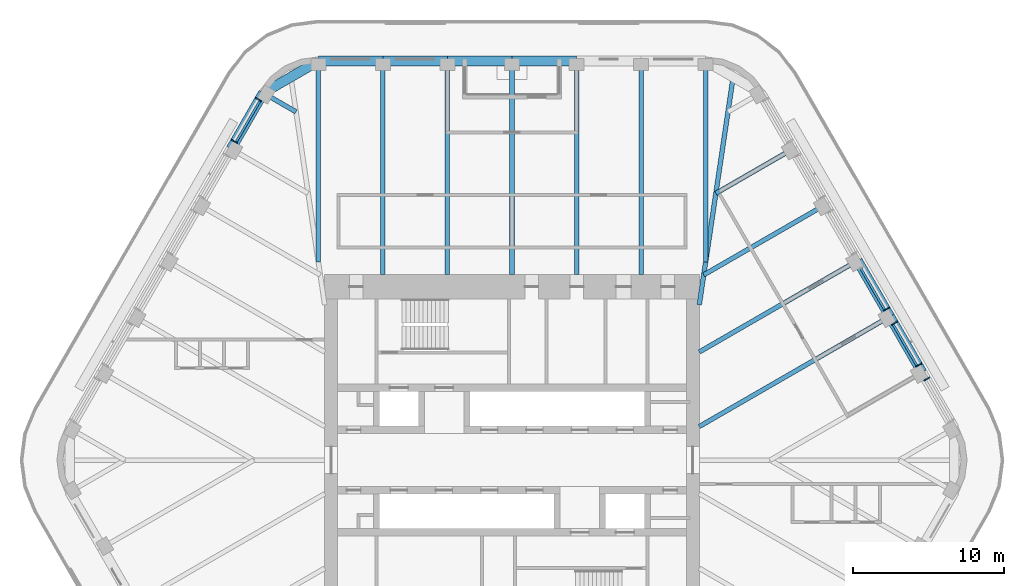
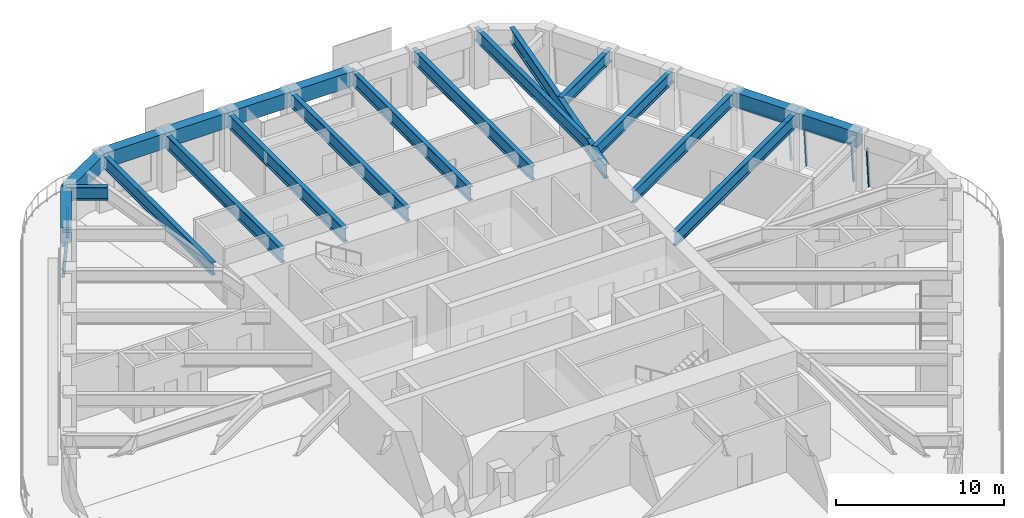
# One storey, part 9 of 19: 21 beams, 9 members, 4 elements without a shape of their own.
"""IFC4 building model written with IfcOpenShell, lengths in metres."""

import ifcopenshell
import ifcopenshell.guid

model = None  # the IFC model being written
_history = None  # IfcOwnerHistory: only IFC2X3 demands one
_inside = {}  # id of a spatial element -> (the spatial element, [elements in it])
_under = {}  # id of a project, library or spatial element -> (it, [spatial elements below it])
_declared = {}  # id of a project -> (the project, [libraries it declares])
_typed = {}  # id of a type object -> (the type object, [elements of that type])
_made_of = {}  # id of a material, layer set ... -> (it, [elements and type objects made of it])


def new_model(schema):
    """Start an empty IFC model of exactly this schema.

    Asked for "IFC4X3", IfcOpenShell would pick the latest addendum, in which some entities
    have other attributes; the version numbers below select the first issue.
    IFC2X3 requires an IfcOwnerHistory on every rooted entity: one is made here for all.
    """
    global model, _history
    if schema == "IFC4X3":
        model = ifcopenshell.file(schema_version=(4, 3, 0, 0))
    else:
        model = ifcopenshell.file(schema=schema)
    _inside.clear()
    _under.clear()
    _declared.clear()
    _typed.clear()
    _made_of.clear()
    _history = None
    if model.schema == "IFC2X3":
        org = make("IfcOrganization", Name="unknown")
        user = make(
            "IfcPersonAndOrganization",
            ThePerson=make("IfcPerson", FamilyName="unknown"),
            TheOrganization=org,
        )
        app = make(
            "IfcApplication",
            ApplicationDeveloper=org,
            Version="unknown",
            ApplicationFullName="unknown",
            ApplicationIdentifier="unknown",
        )
        _history = make(
            "IfcOwnerHistory",
            OwningUser=user,
            OwningApplication=app,
            ChangeAction="ADDED",
            CreationDate=0,
        )
    return model


def make(cls, **values):
    """One entity of the class cls with the attributes given. An attribute that is None is left unset."""
    return model.create_entity(
        cls, **{name: value for name, value in values.items() if value is not None}
    )


def rooted(cls, **values):
    """An entity with a GlobalId (a new one), such as an element, a storey or a relation."""
    return make(cls, GlobalId=ifcopenshell.guid.new(), OwnerHistory=_history, **values)


def si_unit(unit_type, name, prefix=None):
    """IfcSIUnit, for example si_unit("LENGTHUNIT", "METRE", prefix="MILLI")."""
    return make("IfcSIUnit", UnitType=unit_type, Prefix=prefix, Name=name)


def assignment(units):
    """IfcUnitAssignment: the units of a project."""
    return None if units is None else make("IfcUnitAssignment", Units=units)


def point(xyz):
    """IfcCartesianPoint."""
    return None if xyz is None else make("IfcCartesianPoint", Coordinates=xyz)


def direction(xyz):
    """IfcDirection."""
    return None if xyz is None else make("IfcDirection", DirectionRatios=xyz)


def frame(location, z_axis=None, x_axis=None):
    """IfcAxis2Placement3D, a coordinate frame: its origin and axes. An axis left out is left unset."""
    return make(
        "IfcAxis2Placement3D",
        Location=point(location),
        Axis=direction(z_axis),
        RefDirection=direction(x_axis),
    )


def frame_2d(location, x_axis=None):
    """IfcAxis2Placement2D, a coordinate frame in the plane: its origin and x axis."""
    return make(
        "IfcAxis2Placement2D", Location=point(location), RefDirection=direction(x_axis)
    )


def origin():
    """The frame at (0, 0, 0) with its axes left unset."""
    return frame((0.0, 0.0, 0.0))


def origin_2d():
    """The frame at (0, 0) in the plane with its x axis left unset."""
    return frame_2d((0.0, 0.0))


def place(relative_to, where):
    """IfcLocalPlacement: puts the frame where relative to a parent placement (None: the world)."""
    return make(
        "IfcLocalPlacement", PlacementRelTo=relative_to, RelativePlacement=where
    )


def context(
    kind, dimensions, precision=None, world=None, true_north=None, identifier=None
):
    """IfcGeometricRepresentationContext, for example the 3D "Model" context."""
    return make(
        "IfcGeometricRepresentationContext",
        ContextIdentifier=identifier,
        ContextType=kind,
        CoordinateSpaceDimension=dimensions,
        Precision=precision,
        WorldCoordinateSystem=world,
        TrueNorth=true_north,
    )


def subcontext(parent, identifier, kind, view, scale=None):
    """IfcGeometricRepresentationSubContext, for example "Body" below "Model"."""
    return make(
        "IfcGeometricRepresentationSubContext",
        ContextIdentifier=identifier,
        ContextType=kind,
        ParentContext=parent,
        TargetScale=scale,
        TargetView=view,
    )


def project(units=None, contexts=None):
    """IfcProject with its units and contexts."""
    return rooted(
        "IfcProject",
        Name="project",
        RepresentationContexts=contexts,
        UnitsInContext=assignment(units),
    )


def spatial(cls, under=None, at=None, **own):
    """A site, building, storey or space (cls), placed at a placement, below another one or the project."""
    s = rooted(cls, ObjectPlacement=at, **own)
    if under is not None:
        _under.setdefault(under.id(), (under, []))[1].append(s)
    return s


def profile(cls, at=None, kind="AREA", **sizes):
    """A parametric profile (cls). Its sizes go by their IFC names, for example OverallWidth=200.0."""
    return make(cls, ProfileType=kind, Position=at, **sizes)


def rectangle(**sizes):
    """IfcRectangleProfileDef."""
    return profile("IfcRectangleProfileDef", **sizes)


def i_section(**sizes):
    """IfcIShapeProfileDef."""
    return profile("IfcIShapeProfileDef", **sizes)


def extrude(swept, where, along, depth):
    """IfcExtrudedAreaSolid: the profile swept, set in the frame where, extruded along a direction by depth."""
    return make(
        "IfcExtrudedAreaSolid",
        SweptArea=swept,
        Position=where,
        ExtrudedDirection=direction(along),
        Depth=depth,
    )


def shape(context_of_items, identifier, shape_type, items):
    """IfcShapeRepresentation: the items that make up one representation, for example the "Body"."""
    return make(
        "IfcShapeRepresentation",
        ContextOfItems=context_of_items,
        RepresentationIdentifier=identifier,
        RepresentationType=shape_type,
        Items=items,
    )


def material(Name=None, Category=None):
    """IfcMaterial."""
    return make("IfcMaterial", Name=Name, Category=Category)


def material_profile(
    of_material, cross_section, Name=None, Category=None, Priority=None
):
    """IfcMaterialProfile: a cross section and its material."""
    return make(
        "IfcMaterialProfile",
        Name=Name,
        Material=of_material,
        Profile=cross_section,
        Priority=Priority,
        Category=Category,
    )


def profile_set(profiles, Name=None, composite=None):
    """IfcMaterialProfileSet."""
    return make(
        "IfcMaterialProfileSet",
        Name=Name,
        MaterialProfiles=profiles,
        CompositeProfile=composite,
    )


def made_of(thing, what):
    """Note that an element or type object is made of a material, layer set ...; save() writes the relation."""
    if what is not None:
        _made_of.setdefault(what.id(), (what, []))[1].append(thing)
    return thing


def type_object(cls, material=None, **own):
    """A type object (cls), such as IfcWallType, which elements share."""
    return made_of(rooted(cls, **own), material)


def element(
    cls,
    number,
    at=None,
    inside=None,
    cuts=None,
    type_object=None,
    material=None,
    context=None,
    identifier="Body",
    shape_type=None,
    held_by="IfcProductDefinitionShape",
    body=None,
    shapes=None,
    **own,
):
    """One element of the class cls, such as IfcWall. Its Tag is "e" and its number.

    at: its placement. inside: the storey or other place that contains it. cuts: it is an
    opening in that element (IfcRelVoidsElement). A single representation is given by context,
    identifier, shape_type and body (its items); several are given by shapes. held_by: the class
    of the entity that holds the representations. save() writes the other relations.
    """
    e = rooted(cls, Tag="e%d" % number, ObjectPlacement=at, **own)
    if body is not None:
        shapes = [shape(context, identifier, shape_type, body)]
    if shapes is not None:
        e.Representation = make(held_by, Representations=shapes)
    if inside is not None:
        _inside.setdefault(inside.id(), (inside, []))[1].append(e)
    if cuts is not None:
        rooted(
            "IfcRelVoidsElement", RelatingBuildingElement=cuts, RelatedOpeningElement=e
        )
    if type_object is not None:
        _typed.setdefault(type_object.id(), (type_object, []))[1].append(e)
    return made_of(e, material)


def aggregate(whole, parts):
    """IfcRelAggregates: a whole, such as a stair, and the parts it consists of."""
    return rooted("IfcRelAggregates", RelatingObject=whole, RelatedObjects=parts)


def save(model, path):
    """Write the relations noted so far, then the file.

    IfcRelAggregates (storeys below a building ...), IfcRelContainedInSpatialStructure (elements
    in a storey), IfcRelDefinesByType, IfcRelAssociatesMaterial and IfcRelDeclares: one each for
    every whole, place, type object, material and project.
    """
    for whole, parts in _under.values():
        aggregate(whole, parts)
    for where, things in _inside.values():
        rooted(
            "IfcRelContainedInSpatialStructure",
            RelatedElements=things,
            RelatingStructure=where,
        )
    for kind, things in _typed.values():
        rooted("IfcRelDefinesByType", RelatedObjects=things, RelatingType=kind)
    for what, things in _made_of.values():
        rooted("IfcRelAssociatesMaterial", RelatedObjects=things, RelatingMaterial=what)
    for by, libraries in _declared.values():
        rooted("IfcRelDeclares", RelatingContext=by, RelatedDefinitions=libraries)
    model.write(path)


model = new_model("IFC4")

# Units and contexts
model_context = context("Model", 3, precision=1e-05, world=origin(), true_north=direction((0.0, 1.0)))
body_context = subcontext(model_context, "Body", "Model", "MODEL_VIEW")
ifc_project = project(units=[si_unit("LENGTHUNIT", "METRE"), si_unit("AREAUNIT", "SQUARE_METRE"), si_unit("VOLUMEUNIT", "CUBIC_METRE"), si_unit("PLANEANGLEUNIT", "RADIAN"), si_unit("MASSUNIT", "GRAM", prefix="KILO")], contexts=[model_context])

# Site, building, storey
site_placement = place(None, origin())
site = spatial("IfcSite", under=ifc_project, at=site_placement, CompositionType="ELEMENT")
building_placement = place(site_placement, origin())
building = spatial("IfcBuilding", under=site, at=building_placement, Name="Tarfa Lantern Tower", CompositionType="ELEMENT")
storey_placement = place(building_placement, frame((0.0, 0.0, 345.10009765625)))
storey = spatial("IfcBuildingStorey", under=building, at=storey_placement, Name="L78", CompositionType="ELEMENT", Elevation=345.10009765625)

# Curtain wall, member
ifc_material_1 = material(Name="Aluminium framed curtain wall", Category="aluminium")
curtain_wall_type = type_object("IfcCurtainWallType", Name="CW4 CANTED GLAZING EXECUTIVE ZONE 2900", PredefinedType="USERDEFINED", material=ifc_material_1)
curtain_wall_1_placement = place(storey_placement, origin())
curtain_wall_1 = element("IfcCurtainWall", 1, at=curtain_wall_1_placement, inside=storey, type_object=curtain_wall_type, Name="CW4 NE L78", ObjectType="CURTAIN WALL", PredefinedType="USERDEFINED")
ifc_material_2 = material(Name="Aluminium mullion", Category="aluminium")
ifc_material_profile_1 = material_profile(ifc_material_2, rectangle(XDim=0.06494140625, YDim=0.199951171875, at=origin_2d()), Name="AL MULLION 65x200")
ifc_profile_set_1 = profile_set([ifc_material_profile_1], Name="Aluminium mullion")
member_type_1 = type_object("IfcMemberType", Name="CWM1 MULLION 65x200", PredefinedType="MULLION", material=ifc_profile_set_1)
member_1_placement = place(storey_placement, frame((27.6279296875, 5.447265625, 0.0), z_axis=(-0.074399820079, -0.042945555672, 0.996303340364), x_axis=(0.499919672301, -0.866071776036, 0.0)))
member_1 = element("IfcMember", 2, at=member_1_placement, type_object=member_type_1, Name="CW4 mullion 2", PredefinedType="MULLION", context=body_context, shape_type="SweptSolid", body=[
    extrude(rectangle(XDim=0.06494140625, YDim=0.199951171875, at=origin_2d()), origin(), (0.0, 0.0, 1.0), 2.91064453125),
])
aggregate(curtain_wall_1, [member_1])

# Curtain wall, members
curtain_wall_2_placement = place(storey_placement, origin())
curtain_wall_2 = element("IfcCurtainWall", 3, at=curtain_wall_2_placement, inside=storey, type_object=curtain_wall_type, Name="CW4 NE L78", ObjectType="CURTAIN WALL", PredefinedType="USERDEFINED")
member_2_placement = place(storey_placement, frame((27.095458984375, 6.369384765625, 0.0), z_axis=(-0.074399820079, -0.042945555672, 0.996303340364), x_axis=(0.499919672301, -0.866071776036, 0.0)))
member_2 = element("IfcMember", 4, at=member_2_placement, type_object=member_type_1, Name="CW4 mullion 1", PredefinedType="MULLION", context=body_context, shape_type="SweptSolid", body=[
    extrude(rectangle(XDim=0.06494140625, YDim=0.199951171875, at=origin_2d()), origin(), (0.0, 0.0, 1.0), 2.91064453125),
])
member_3_placement = place(storey_placement, frame((25.48681640625, 9.155517578125, 0.0), z_axis=(-0.074399820079, -0.042945555672, 0.996303340364), x_axis=(0.499919672301, -0.866071776036, 0.0)))
member_3 = element("IfcMember", 5, at=member_3_placement, type_object=member_type_1, Name="CW4 mullion 2", PredefinedType="MULLION", context=body_context, shape_type="SweptSolid", body=[
    extrude(rectangle(XDim=0.06494140625, YDim=0.199951171875, at=origin_2d()), origin(), (0.0, 0.0, 1.0), 2.91064453125),
])

# Curtain wall, member
curtain_wall_3_placement = place(storey_placement, origin())
curtain_wall_3 = element("IfcCurtainWall", 6, at=curtain_wall_3_placement, inside=storey, type_object=curtain_wall_type, Name="CW4 NE L78", ObjectType="CURTAIN WALL", PredefinedType="USERDEFINED")
member_4_placement = place(storey_placement, frame((24.954345703125, 10.077880859375, 0.0), z_axis=(-0.074399820079, -0.042945555672, 0.996303340364), x_axis=(0.499919672301, -0.866071776036, 0.0)))
member_4 = element("IfcMember", 7, at=member_4_placement, type_object=member_type_1, Name="CW4 mullion 1", PredefinedType="MULLION", context=body_context, shape_type="SweptSolid", body=[
    extrude(rectangle(XDim=0.06494140625, YDim=0.199951171875, at=origin_2d()), origin(), (0.0, 0.0, 1.0), 2.91064453125),
])

# Curtain wall, members
curtain_wall_4_placement = place(storey_placement, origin())
curtain_wall_4 = element("IfcCurtainWall", 8, at=curtain_wall_4_placement, inside=storey, type_object=curtain_wall_type, Name="CW4 NW L78", ObjectType="CURTAIN WALL", PredefinedType="USERDEFINED")
member_5_placement = place(storey_placement, frame((-16.9228515625, 23.98876953125, 0.0), z_axis=(0.074399820079, -0.042945555672, 0.996303340364), x_axis=(0.499919672301, 0.866071776036, 0.0)))
member_5 = element("IfcMember", 9, at=member_5_placement, type_object=member_type_1, Name="CW4 mullion 1", PredefinedType="MULLION", context=body_context, shape_type="SweptSolid", body=[
    extrude(rectangle(XDim=0.06494140625, YDim=0.199951171875, at=origin_2d()), origin(), (0.0, 0.0, 1.0), 2.91064453125),
])
member_6_placement = place(storey_placement, frame((-18.53125, 21.202880859375, 0.0), z_axis=(0.074399820079, -0.042945555672, 0.996303340364), x_axis=(0.499919672301, 0.866071776036, 0.0)))
member_6 = element("IfcMember", 10, at=member_6_placement, type_object=member_type_1, Name="CW4 mullion 2", PredefinedType="MULLION", context=body_context, shape_type="SweptSolid", body=[
    extrude(rectangle(XDim=0.06494140625, YDim=0.199951171875, at=origin_2d()), origin(), (0.0, 0.0, 1.0), 2.91064453125),
])

# Member
ifc_material_3 = material(Name="Aluminium transom", Category="aluminium")
ifc_material_profile_2 = material_profile(ifc_material_3, rectangle(XDim=0.14990234375, YDim=0.06494140625, at=origin_2d()), Name="AL TRANSOM 150x65")
ifc_profile_set_2 = profile_set([ifc_material_profile_2], Name="Aluminium transom")
member_type_2 = type_object("IfcMemberType", Name="CWT1 TRANSOM 150x65", PredefinedType="USERDEFINED", material=ifc_profile_set_2)
member_7_placement = place(storey_placement, frame((26.864990234375, 6.27392578125, 2.867431640625), z_axis=(-0.499979472441, 0.866037255052, 0.0), x_axis=(-0.866037255052, -0.499979472441, 0.0)))
member_7 = element("IfcMember", 11, at=member_7_placement, type_object=member_type_2, Name="CW4 transom 1.2", ObjectType="TRANSOM", PredefinedType="USERDEFINED", context=body_context, shape_type="SweptSolid", body=[
    extrude(rectangle(XDim=0.14990234375, YDim=0.06494140625, at=origin_2d()), origin(), (0.0, 0.0, 1.0), 3.152099609375),
])

aggregate(curtain_wall_2, [member_2, member_3, member_7])

member_8_placement = place(storey_placement, frame((24.72412109375, 9.982421875, 2.867431640625), z_axis=(-0.500037562771, 0.866003715822, 0.0), x_axis=(-0.866003715822, -0.500037562771, 0.0)))
member_8 = element("IfcMember", 12, at=member_8_placement, type_object=member_type_2, Name="CW4 transom 1.2", ObjectType="TRANSOM", PredefinedType="USERDEFINED", context=body_context, shape_type="SweptSolid", body=[
    extrude(rectangle(XDim=0.14990234375, YDim=0.06494140625, at=origin_2d()), origin(), (0.0, 0.0, 1.0), 3.152099609375),
])

aggregate(curtain_wall_3, [member_4, member_8])

member_9_placement = place(storey_placement, frame((-16.724853515625, 23.837158203125, 2.867431640625), z_axis=(-0.500037562771, -0.866003715822, 0.0), x_axis=(0.866003715822, -0.500037562771, 0.0)))
member_9 = element("IfcMember", 13, at=member_9_placement, type_object=member_type_2, Name="CW4 transom 1.2", ObjectType="TRANSOM", PredefinedType="USERDEFINED", context=body_context, shape_type="SweptSolid", body=[
    extrude(rectangle(XDim=0.14990234375, YDim=0.06494140625, at=origin_2d()), origin(), (0.0, 0.0, 1.0), 3.152099609375),
])

aggregate(curtain_wall_4, [member_5, member_6, member_9])

# Beams
ifc_material_4 = material(Name="Concrete C80/95", Category="concrete")
ifc_material_profile_3 = material_profile(ifc_material_4, rectangle(XDim=0.64990234375, YDim=1.10009765625, at=origin_2d()), Name="RC 650x1100")
ifc_profile_set_3 = profile_set([ifc_material_profile_3], Name="Concrete C80/95")
beam_type_1 = type_object("IfcBeamType", Name="EB4 RC 650x1100", PredefinedType="SPANDREL", material=ifc_profile_set_3)
beam_1_placement = place(storey_placement, frame((27.205810546875, 5.818359375, 3.449951171875), z_axis=(-0.500026801138, 0.866009929587, 0.0), x_axis=(-0.866009929587, -0.500026801138, 0.0)))
element("IfcBeam", 14, at=beam_1_placement, inside=storey, type_object=beam_type_1, Name="Edge beam NE1", PredefinedType="SPANDREL", context=body_context, shape_type="SweptSolid", body=[
    extrude(rectangle(XDim=0.64990234375, YDim=1.10009765625, at=origin_2d()), origin(), (0.0, 0.0, 1.0), 4.281982421875),
])
beam_2_placement = place(storey_placement, frame((25.064697265625, 9.526611328125, 3.449951171875), z_axis=(-0.500002112793, 0.866024183959, 0.0), x_axis=(-0.866024183959, -0.500002112793, 0.0)))
element("IfcBeam", 15, at=beam_2_placement, inside=storey, type_object=beam_type_1, Name="Edge beam NE2", PredefinedType="SPANDREL", context=body_context, shape_type="SweptSolid", body=[
    extrude(rectangle(XDim=0.64990234375, YDim=1.10009765625, at=origin_2d()), origin(), (0.0, 0.0, 1.0), 4.2822265625),
])
for number, where, z_axis, x_axis, name in (
    (16, (4.281982421875, 26.469970703125, 3.449951171875), (-1.0, 0.0, 0.0), (0.0, -1.0, 0.0), "Edge beam N2"),
    (17, (0.0, 26.469970703125, 3.449951171875), (-1.0, 0.0, 0.0), (0.0, -1.0, 0.0), "Edge beam N3"),
    (18, (-4.281982421875, 26.469970703125, 3.449951171875), (-1.0, 0.0, 0.0), (0.0, -1.0, 0.0), "Edge beam N4"),
    (19, (-8.56396484375, 26.469970703125, 3.449951171875), (-1.0, 0.0, 0.0), (0.0, -1.0, 0.0), "Edge beam N5"),
):
    element("IfcBeam", number, at=place(storey_placement, frame(where, z_axis=z_axis, x_axis=x_axis)), inside=storey, type_object=beam_type_1, Name=name, PredefinedType="SPANDREL", context=body_context, shape_type="SweptSolid", body=[
        extrude(rectangle(XDim=0.64990234375, YDim=1.10009765625, at=origin_2d()), origin(), (0.0, 0.0, 1.0), 4.281982421875),
    ])
beam_3_placement = place(storey_placement, frame((-12.845947265625, 26.469970703125, 3.449951171875), z_axis=(-0.866048788483, -0.499959494327, 0.0), x_axis=(0.499959494327, -0.866048788483, 0.0)))
element("IfcBeam", 20, at=beam_3_placement, inside=storey, type_object=beam_type_1, Name="Edge beam N6", PredefinedType="SPANDREL", context=body_context, shape_type="SweptSolid", body=[
    extrude(rectangle(XDim=0.64990234375, YDim=1.10009765625, at=origin_2d()), origin(), (0.0, 0.0, 1.0), 4.219970703125),
])
beam_4_placement = place(storey_placement, frame((-16.500732421875, 24.360107421875, 3.449951171875), z_axis=(-0.499959351497, -0.866048870937, 0.0), x_axis=(0.866048870937, -0.499959351497, 0.0)))
element("IfcBeam", 21, at=beam_4_placement, inside=storey, type_object=beam_type_1, Name="Edge beam NW0", PredefinedType="SPANDREL", context=body_context, shape_type="SweptSolid", body=[
    extrude(rectangle(XDim=0.64990234375, YDim=1.10009765625, at=origin_2d()), origin(), (0.0, 0.0, 1.0), 4.281982421875),
])
ifc_material_5 = material(Name="Steel S460M", Category="steel")
ifc_material_profile_4 = material_profile(ifc_material_5, i_section(OverallWidth=0.302001953125, OverallDepth=1.008056640625, WebThickness=0.02099609375, FlangeThickness=0.0400390625, FilletRadius=0.030029296875, at=origin_2d()), Name="UB1016x305x349")
ifc_profile_set_4 = profile_set([ifc_material_profile_4], Name="Steel S460M")
beam_type_2 = type_object("IfcBeamType", Name="UB1016x305x349", PredefinedType="BEAM", material=ifc_profile_set_4)
beam_5_placement = place(storey_placement, frame((25.064697265625, 9.526611328125, 3.495849609375), z_axis=(-0.866029591389, -0.499992746786, 0.0), x_axis=(0.499992746786, -0.866029591389, 0.0)))
element("IfcBeam", 22, at=beam_5_placement, inside=storey, type_object=beam_type_2, Name="Floor beam NE2", PredefinedType="BEAM", context=body_context, shape_type="SweptSolid", body=[
    extrude(i_section(OverallWidth=0.302001953125, OverallDepth=1.008056640625, WebThickness=0.02099609375, FlangeThickness=0.0400390625, FilletRadius=0.030029296875, at=origin_2d()), origin(), (0.0, 0.0, 1.0), 14.594970703125),
])
for number, where, z_axis, x_axis, name in (
    (23, (8.56396484375, 26.469970703125, 3.495849609375), (0.0, -1.0, 0.0), (1.0, 0.0, 0.0), "Floor beam N1"),
    (24, (4.281982421875, 26.469970703125, 3.495849609375), (0.0, -1.0, 0.0), (1.0, 0.0, 0.0), "Floor beam N2"),
    (25, (0.0, 26.469970703125, 3.495849609375), (0.0, -1.0, 0.0), (1.0, 0.0, 0.0), "Floor beam N3"),
    (26, (-4.281982421875, 26.469970703125, 3.495849609375), (0.0, -1.0, 0.0), (1.0, 0.0, 0.0), "Floor beam N4"),
    (27, (-8.56396484375, 26.469970703125, 3.495849609375), (0.0, -1.0, 0.0), (1.0, 0.0, 0.0), "Floor beam N5"),
):
    element("IfcBeam", number, at=place(storey_placement, frame(where, z_axis=z_axis, x_axis=x_axis)), inside=storey, type_object=beam_type_2, Name=name, PredefinedType="BEAM", context=body_context, shape_type="SweptSolid", body=[
        extrude(i_section(OverallWidth=0.302001953125, OverallDepth=1.008056640625, WebThickness=0.02099609375, FlangeThickness=0.0400390625, FilletRadius=0.030029296875, at=origin_2d()), origin(), (0.0, 0.0, 1.0), 14.169921875),
    ])
ifc_material_profile_5 = material_profile(ifc_material_5, i_section(OverallWidth=0.30859375, OverallDepth=1.036376953125, WebThickness=0.030029296875, FlangeThickness=0.05419921875, FilletRadius=0.030029296875, at=origin_2d()), Name="UB1016x305x487")
ifc_profile_set_5 = profile_set([ifc_material_profile_5], Name="Steel S460M")
beam_type_3 = type_object("IfcBeamType", Name="UB1016x305x487", PredefinedType="BEAM", material=ifc_profile_set_5)
beam_6_placement = place(storey_placement, frame((12.425048828125, 10.300048828125, 3.481689453125), z_axis=(0.147127069073, 0.989117599452, 0.0), x_axis=(-0.989117599452, 0.147127069073, 0.0)))
element("IfcBeam", 28, at=beam_6_placement, inside=storey, type_object=beam_type_3, Name="Hip girder NE", PredefinedType="BEAM", context=body_context, shape_type="SweptSolid", body=[
    extrude(i_section(OverallWidth=0.30859375, OverallDepth=1.036376953125, WebThickness=0.030029296875, FlangeThickness=0.05419921875, FilletRadius=0.030029296875, at=origin_2d()), origin(), (0.0, 0.0, 1.0), 15.28125),
])
ifc_material_profile_6 = material_profile(ifc_material_5, i_section(OverallWidth=0.305419921875, OverallDepth=0.91845703125, WebThickness=0.017333984375, FlangeThickness=0.02783203125, FilletRadius=0.01904296875, at=origin_2d()), Name="UB914x305x253")
ifc_profile_set_6 = profile_set([ifc_material_profile_6], Name="Steel S460M")
beam_type_4 = type_object("IfcBeamType", Name="UB914x305x253", PredefinedType="BEAM", material=ifc_profile_set_6)
beam_7_placement = place(storey_placement, frame((22.923583984375, 13.235107421875, 3.540771484375), z_axis=(-0.86601856927, -0.500011837539, 0.0), x_axis=(0.500011837539, -0.86601856927, 0.0)))
element("IfcBeam", 29, at=beam_7_placement, inside=storey, type_object=beam_type_4, Name="Floor beam NE3", PredefinedType="BEAM", context=body_context, shape_type="SweptSolid", body=[
    extrude(i_section(OverallWidth=0.305419921875, OverallDepth=0.91845703125, WebThickness=0.017333984375, FlangeThickness=0.02783203125, FilletRadius=0.01904296875, at=origin_2d()), origin(), (0.0, 0.0, 1.0), 12.122802734375),
])
beam_8_placement = place(storey_placement, frame((20.78271484375, 16.943359375, 3.540771484375), z_axis=(-0.866021806508, -0.500006230613, 0.0), x_axis=(0.500006230613, -0.866021806508, 0.0)))
element("IfcBeam", 30, at=beam_8_placement, inside=storey, type_object=beam_type_4, Name="Floor beam NE4", PredefinedType="BEAM", context=body_context, shape_type="SweptSolid", body=[
    extrude(i_section(OverallWidth=0.305419921875, OverallDepth=0.91845703125, WebThickness=0.017333984375, FlangeThickness=0.02783203125, FilletRadius=0.01904296875, at=origin_2d()), origin(), (0.0, 0.0, 1.0), 9.30908203125),
])
beam_9_placement = place(storey_placement, frame((18.6416015625, 20.651611328125, 3.540771484375), z_axis=(-0.866024549157, -0.500001480256, 0.0), x_axis=(0.500001480256, -0.866024549157, 0.0)))
element("IfcBeam", 31, at=beam_9_placement, inside=storey, type_object=beam_type_4, Name="Floor beam NE5", PredefinedType="BEAM", context=body_context, shape_type="SweptSolid", body=[
    extrude(i_section(OverallWidth=0.305419921875, OverallDepth=0.91845703125, WebThickness=0.017333984375, FlangeThickness=0.02783203125, FilletRadius=0.01904296875, at=origin_2d()), origin(), (0.0, 0.0, 1.0), 5.90771484375),
])
for number, where, z_axis, x_axis, name in (
    (32, (12.845947265625, 26.469970703125, 3.540771484375), (0.0, -1.0, 0.0), (1.0, 0.0, 0.0), "Floor beam N0"),
    (33, (-12.845947265625, 26.469970703125, 3.540771484375), (0.0, -1.0, 0.0), (1.0, 0.0, 0.0), "Floor beam N6"),
):
    element("IfcBeam", number, at=place(storey_placement, frame(where, z_axis=z_axis, x_axis=x_axis)), inside=storey, type_object=beam_type_4, Name=name, PredefinedType="BEAM", context=body_context, shape_type="SweptSolid", body=[
        extrude(i_section(OverallWidth=0.305419921875, OverallDepth=0.91845703125, WebThickness=0.017333984375, FlangeThickness=0.02783203125, FilletRadius=0.01904296875, at=origin_2d()), origin(), (0.0, 0.0, 1.0), 13.33935546875),
    ])
beam_10_placement = place(storey_placement, frame((-16.500732421875, 24.360107421875, 3.540771484375), z_axis=(0.865992557167, -0.500056887695, 0.0), x_axis=(0.500056887695, 0.865992557167, 0.0)))
element("IfcBeam", 34, at=beam_10_placement, inside=storey, type_object=beam_type_4, Name="Floor beam NW0", PredefinedType="BEAM", context=body_context, shape_type="SweptSolid", body=[
    extrude(i_section(OverallWidth=0.305419921875, OverallDepth=0.91845703125, WebThickness=0.017333984375, FlangeThickness=0.02783203125, FilletRadius=0.01904296875, at=origin_2d()), origin(), (0.0, 0.0, 1.0), 2.506591796875),
])

save(model, "model.ifc")
